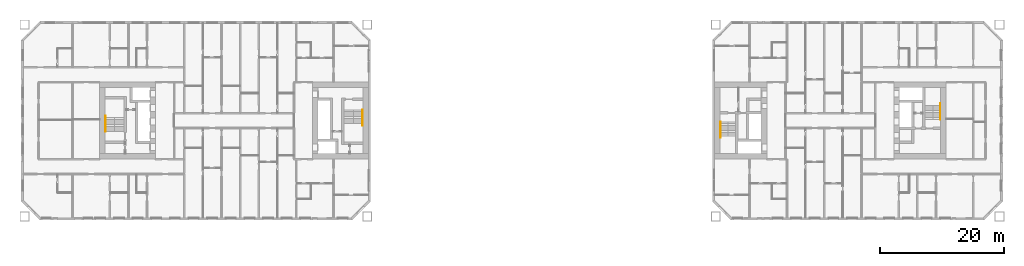
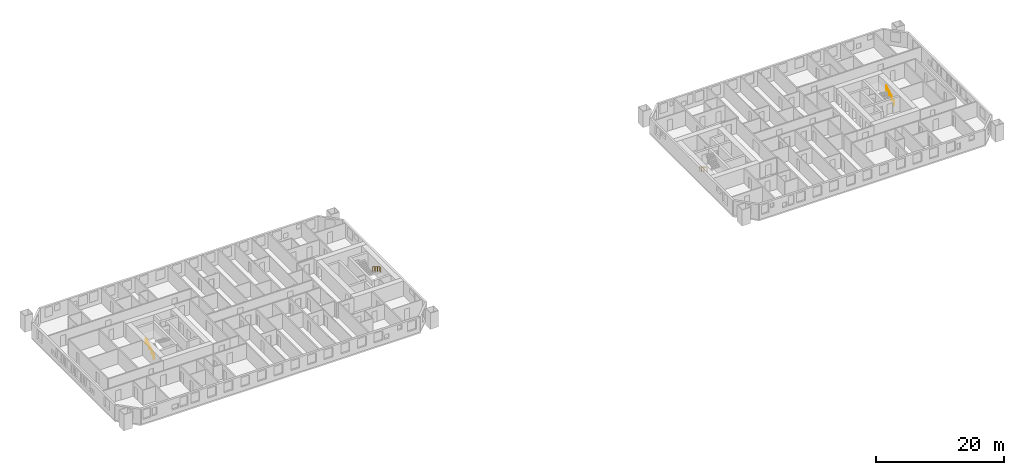
# One storey, part 17 of 17: 4 railings.
"""IFC4 building model written with IfcOpenShell, lengths in metres."""

import ifcopenshell
import ifcopenshell.guid

model = None  # the IFC model being written
_history = None  # IfcOwnerHistory: only IFC2X3 demands one
_inside = {}  # id of a spatial element -> (the spatial element, [elements in it])
_under = {}  # id of a project, library or spatial element -> (it, [spatial elements below it])
_declared = {}  # id of a project -> (the project, [libraries it declares])
_typed = {}  # id of a type object -> (the type object, [elements of that type])
_made_of = {}  # id of a material, layer set ... -> (it, [elements and type objects made of it])


def new_model(schema):
    """Start an empty IFC model of exactly this schema.

    Asked for "IFC4X3", IfcOpenShell would pick the latest addendum, in which some entities
    have other attributes; the version numbers below select the first issue.
    IFC2X3 requires an IfcOwnerHistory on every rooted entity: one is made here for all.
    """
    global model, _history
    if schema == "IFC4X3":
        model = ifcopenshell.file(schema_version=(4, 3, 0, 0))
    else:
        model = ifcopenshell.file(schema=schema)
    _inside.clear()
    _under.clear()
    _declared.clear()
    _typed.clear()
    _made_of.clear()
    _history = None
    if model.schema == "IFC2X3":
        org = make("IfcOrganization", Name="unknown")
        user = make(
            "IfcPersonAndOrganization",
            ThePerson=make("IfcPerson", FamilyName="unknown"),
            TheOrganization=org,
        )
        app = make(
            "IfcApplication",
            ApplicationDeveloper=org,
            Version="unknown",
            ApplicationFullName="unknown",
            ApplicationIdentifier="unknown",
        )
        _history = make(
            "IfcOwnerHistory",
            OwningUser=user,
            OwningApplication=app,
            ChangeAction="ADDED",
            CreationDate=0,
        )
    return model


def make(cls, **values):
    """One entity of the class cls with the attributes given. An attribute that is None is left unset."""
    return model.create_entity(
        cls, **{name: value for name, value in values.items() if value is not None}
    )


def rooted(cls, **values):
    """An entity with a GlobalId (a new one), such as an element, a storey or a relation."""
    return make(cls, GlobalId=ifcopenshell.guid.new(), OwnerHistory=_history, **values)


def si_unit(unit_type, name, prefix=None):
    """IfcSIUnit, for example si_unit("LENGTHUNIT", "METRE", prefix="MILLI")."""
    return make("IfcSIUnit", UnitType=unit_type, Prefix=prefix, Name=name)


def assignment(units):
    """IfcUnitAssignment: the units of a project."""
    return None if units is None else make("IfcUnitAssignment", Units=units)


def point(xyz):
    """IfcCartesianPoint."""
    return None if xyz is None else make("IfcCartesianPoint", Coordinates=xyz)


def direction(xyz):
    """IfcDirection."""
    return None if xyz is None else make("IfcDirection", DirectionRatios=xyz)


def frame(location, z_axis=None, x_axis=None):
    """IfcAxis2Placement3D, a coordinate frame: its origin and axes. An axis left out is left unset."""
    return make(
        "IfcAxis2Placement3D",
        Location=point(location),
        Axis=direction(z_axis),
        RefDirection=direction(x_axis),
    )


def frame_2d(location, x_axis=None):
    """IfcAxis2Placement2D, a coordinate frame in the plane: its origin and x axis."""
    return make(
        "IfcAxis2Placement2D", Location=point(location), RefDirection=direction(x_axis)
    )


def origin():
    """The frame at (0, 0, 0) with its axes left unset."""
    return frame((0.0, 0.0, 0.0))


def origin_2d():
    """The frame at (0, 0) in the plane with its x axis left unset."""
    return frame_2d((0.0, 0.0))


def place(relative_to, where):
    """IfcLocalPlacement: puts the frame where relative to a parent placement (None: the world)."""
    return make(
        "IfcLocalPlacement", PlacementRelTo=relative_to, RelativePlacement=where
    )


def context(
    kind, dimensions, precision=None, world=None, true_north=None, identifier=None
):
    """IfcGeometricRepresentationContext, for example the 3D "Model" context."""
    return make(
        "IfcGeometricRepresentationContext",
        ContextIdentifier=identifier,
        ContextType=kind,
        CoordinateSpaceDimension=dimensions,
        Precision=precision,
        WorldCoordinateSystem=world,
        TrueNorth=true_north,
    )


def subcontext(parent, identifier, kind, view, scale=None):
    """IfcGeometricRepresentationSubContext, for example "Body" below "Model"."""
    return make(
        "IfcGeometricRepresentationSubContext",
        ContextIdentifier=identifier,
        ContextType=kind,
        ParentContext=parent,
        TargetScale=scale,
        TargetView=view,
    )


def project(units=None, contexts=None):
    """IfcProject with its units and contexts."""
    return rooted(
        "IfcProject",
        Name="project",
        RepresentationContexts=contexts,
        UnitsInContext=assignment(units),
    )


def spatial(cls, under=None, at=None, **own):
    """A site, building, storey or space (cls), placed at a placement, below another one or the project."""
    s = rooted(cls, ObjectPlacement=at, **own)
    if under is not None:
        _under.setdefault(under.id(), (under, []))[1].append(s)
    return s


def profile(cls, at=None, kind="AREA", **sizes):
    """A parametric profile (cls). Its sizes go by their IFC names, for example OverallWidth=200.0."""
    return make(cls, ProfileType=kind, Position=at, **sizes)


def circle(**sizes):
    """IfcCircleProfileDef."""
    return profile("IfcCircleProfileDef", **sizes)


def extrude(swept, where, along, depth):
    """IfcExtrudedAreaSolid: the profile swept, set in the frame where, extruded along a direction by depth."""
    return make(
        "IfcExtrudedAreaSolid",
        SweptArea=swept,
        Position=where,
        ExtrudedDirection=direction(along),
        Depth=depth,
    )


def shape(context_of_items, identifier, shape_type, items):
    """IfcShapeRepresentation: the items that make up one representation, for example the "Body"."""
    return make(
        "IfcShapeRepresentation",
        ContextOfItems=context_of_items,
        RepresentationIdentifier=identifier,
        RepresentationType=shape_type,
        Items=items,
    )


def material(Name=None, Category=None):
    """IfcMaterial."""
    return make("IfcMaterial", Name=Name, Category=Category)


def made_of(thing, what):
    """Note that an element or type object is made of a material, layer set ...; save() writes the relation."""
    if what is not None:
        _made_of.setdefault(what.id(), (what, []))[1].append(thing)
    return thing


def type_object(cls, material=None, **own):
    """A type object (cls), such as IfcWallType, which elements share."""
    return made_of(rooted(cls, **own), material)


def element(
    cls,
    number,
    at=None,
    inside=None,
    cuts=None,
    type_object=None,
    material=None,
    context=None,
    identifier="Body",
    shape_type=None,
    held_by="IfcProductDefinitionShape",
    body=None,
    shapes=None,
    **own,
):
    """One element of the class cls, such as IfcWall. Its Tag is "e" and its number.

    at: its placement. inside: the storey or other place that contains it. cuts: it is an
    opening in that element (IfcRelVoidsElement). A single representation is given by context,
    identifier, shape_type and body (its items); several are given by shapes. held_by: the class
    of the entity that holds the representations. save() writes the other relations.
    """
    e = rooted(cls, Tag="e%d" % number, ObjectPlacement=at, **own)
    if body is not None:
        shapes = [shape(context, identifier, shape_type, body)]
    if shapes is not None:
        e.Representation = make(held_by, Representations=shapes)
    if inside is not None:
        _inside.setdefault(inside.id(), (inside, []))[1].append(e)
    if cuts is not None:
        rooted(
            "IfcRelVoidsElement", RelatingBuildingElement=cuts, RelatedOpeningElement=e
        )
    if type_object is not None:
        _typed.setdefault(type_object.id(), (type_object, []))[1].append(e)
    return made_of(e, material)


def aggregate(whole, parts):
    """IfcRelAggregates: a whole, such as a stair, and the parts it consists of."""
    return rooted("IfcRelAggregates", RelatingObject=whole, RelatedObjects=parts)


def save(model, path):
    """Write the relations noted so far, then the file.

    IfcRelAggregates (storeys below a building ...), IfcRelContainedInSpatialStructure (elements
    in a storey), IfcRelDefinesByType, IfcRelAssociatesMaterial and IfcRelDeclares: one each for
    every whole, place, type object, material and project.
    """
    for whole, parts in _under.values():
        aggregate(whole, parts)
    for where, things in _inside.values():
        rooted(
            "IfcRelContainedInSpatialStructure",
            RelatedElements=things,
            RelatingStructure=where,
        )
    for kind, things in _typed.values():
        rooted("IfcRelDefinesByType", RelatedObjects=things, RelatingType=kind)
    for what, things in _made_of.values():
        rooted("IfcRelAssociatesMaterial", RelatedObjects=things, RelatingMaterial=what)
    for by, libraries in _declared.values():
        rooted("IfcRelDeclares", RelatingContext=by, RelatedDefinitions=libraries)
    model.write(path)


model = new_model("IFC4")

# Units and contexts
model_context = context("Model", 3, precision=1e-05, world=origin(), true_north=direction((0.0, 1.0)))
body_context = subcontext(model_context, "Body", "Model", "MODEL_VIEW")
ifc_project = project(units=[si_unit("LENGTHUNIT", "METRE"), si_unit("AREAUNIT", "SQUARE_METRE"), si_unit("VOLUMEUNIT", "CUBIC_METRE"), si_unit("PLANEANGLEUNIT", "RADIAN"), si_unit("MASSUNIT", "GRAM", prefix="KILO")], contexts=[model_context])

# Site, building, storey
site_placement = place(None, origin())
site = spatial("IfcSite", under=ifc_project, at=site_placement, CompositionType="ELEMENT")
building_placement = place(site_placement, origin())
building = spatial("IfcBuilding", under=site, at=building_placement, Name="Tuart Gate Housing", CompositionType="ELEMENT")
storey_placement = place(building_placement, frame((0.0, 0.0, 22.60009765625)))
storey = spatial("IfcBuildingStorey", under=building, at=storey_placement, Name="L05", CompositionType="ELEMENT", Elevation=22.60009765625)

# Railings
ifc_material = material(Name="Stainless steel", Category="steel")
railing_type = type_object("IfcRailingType", Name="Stair handrail 900", PredefinedType="HANDRAIL", material=ifc_material)
railing_1_placement = place(storey_placement, frame((74.679931640625, 71.75, 0.172119140625)))
element("IfcRailing", 1, at=railing_1_placement, inside=storey, type_object=railing_type, Name="Stair handrail SA1.1", PredefinedType="HANDRAIL", context=body_context, shape_type="SweptSolid", body=[
    extrude(circle(Radius=0.02392578125, at=origin_2d()), frame((0.0, 0.0, 0.8759765625), z_axis=(0.0, -0.85178898068, 0.523885037382), x_axis=(1.0, 0.0, 0.0)), (0.0, 0.0, 1.0), 2.629638671875),
    extrude(circle(Radius=0.02392578125, at=origin_2d()), frame((0.0, -2.239990234375, 2.25341796875), z_axis=(0.0, -1.0, 0.0), x_axis=(1.0, 0.0, 0.0)), (0.0, 0.0, 1.0), 0.300048828125),
    extrude(circle(Radius=0.02099609375, at=origin_2d()), origin(), (0.0, 0.0, 1.0), 0.851806640625),
    extrude(circle(Radius=0.02099609375, at=origin_2d()), frame((0.0, -0.74658203125, 0.459228515625)), (0.0, 0.0, 1.0), 0.851806640625),
    extrude(circle(Radius=0.02099609375, at=origin_2d()), frame((0.0, -1.493408203125, 0.91845703125)), (0.0, 0.0, 1.0), 0.851806640625),
    extrude(circle(Radius=0.02099609375, at=origin_2d()), frame((0.0, -2.239990234375, 1.377685546875)), (0.0, 0.0, 1.0), 0.851806640625),
    extrude(circle(Radius=0.02099609375, at=origin_2d()), frame((0.0, -2.5400390625, 1.377685546875)), (0.0, 0.0, 1.0), 0.851806640625),
])
railing_2_placement = place(storey_placement, frame((33.320068359375, 68.25, 0.172119140625)))
element("IfcRailing", 2, at=railing_2_placement, inside=storey, type_object=railing_type, Name="Stair handrail SA2.1", PredefinedType="HANDRAIL", context=body_context, shape_type="SweptSolid", body=[
    extrude(circle(Radius=0.02392578125, at=origin_2d()), frame((0.0, 0.0, 0.8759765625), z_axis=(0.0, 0.85178898068, 0.523885037382), x_axis=(-1.0, 0.0, 0.0)), (0.0, 0.0, 1.0), 2.629638671875),
    extrude(circle(Radius=0.02392578125, at=origin_2d()), frame((0.0, 2.239990234375, 2.25341796875), z_axis=(0.0, 1.0, 0.0), x_axis=(-1.0, 0.0, 0.0)), (0.0, 0.0, 1.0), 0.300048828125),
    extrude(circle(Radius=0.02099609375, at=origin_2d()), origin(), (0.0, 0.0, 1.0), 0.851806640625),
    extrude(circle(Radius=0.02099609375, at=origin_2d()), frame((0.0, 0.74658203125, 0.459228515625)), (0.0, 0.0, 1.0), 0.851806640625),
    extrude(circle(Radius=0.02099609375, at=origin_2d()), frame((0.0, 1.493408203125, 0.91845703125)), (0.0, 0.0, 1.0), 0.851806640625),
    extrude(circle(Radius=0.02099609375, at=origin_2d()), frame((0.0, 2.239990234375, 1.377685546875)), (0.0, 0.0, 1.0), 0.851806640625),
    extrude(circle(Radius=0.02099609375, at=origin_2d()), frame((0.0, 2.5400390625, 1.377685546875)), (0.0, 0.0, 1.0), 0.851806640625),
])
railing_3_placement = place(storey_placement, frame((132.320068359375, 69.800048828125, 0.172119140625)))
element("IfcRailing", 3, at=railing_3_placement, inside=storey, type_object=railing_type, Name="Stair handrail SB1.1", PredefinedType="HANDRAIL", context=body_context, shape_type="SweptSolid", body=[
    extrude(circle(Radius=0.02392578125, at=origin_2d()), frame((0.0, 0.0, 0.8759765625), z_axis=(0.0, -0.85178898068, 0.523885037382), x_axis=(1.0, 0.0, 0.0)), (0.0, 0.0, 1.0), 2.629638671875),
    extrude(circle(Radius=0.02392578125, at=origin_2d()), frame((0.0, -2.239990234375, 2.25341796875), z_axis=(0.0, -1.0, 0.0), x_axis=(1.0, 0.0, 0.0)), (0.0, 0.0, 1.0), 0.300048828125),
    extrude(circle(Radius=0.02099609375, at=origin_2d()), origin(), (0.0, 0.0, 1.0), 0.851806640625),
    extrude(circle(Radius=0.02099609375, at=origin_2d()), frame((0.0, -0.74658203125, 0.459228515625)), (0.0, 0.0, 1.0), 0.851806640625),
    extrude(circle(Radius=0.02099609375, at=origin_2d()), frame((0.0, -1.493408203125, 0.91845703125)), (0.0, 0.0, 1.0), 0.851806640625),
    extrude(circle(Radius=0.02099609375, at=origin_2d()), frame((0.0, -2.239990234375, 1.377685546875)), (0.0, 0.0, 1.0), 0.851806640625),
    extrude(circle(Radius=0.02099609375, at=origin_2d()), frame((0.0, -2.5400390625, 1.377685546875)), (0.0, 0.0, 1.0), 0.851806640625),
])
railing_4_placement = place(storey_placement, frame((167.679931640625, 70.199951171875, 0.172119140625)))
element("IfcRailing", 4, at=railing_4_placement, inside=storey, type_object=railing_type, Name="Stair handrail SB2.1", PredefinedType="HANDRAIL", context=body_context, shape_type="SweptSolid", body=[
    extrude(circle(Radius=0.02392578125, at=origin_2d()), frame((0.0, 0.0, 0.8759765625), z_axis=(0.0, 0.85178898068, 0.523885037382), x_axis=(-1.0, 0.0, 0.0)), (0.0, 0.0, 1.0), 2.629638671875),
    extrude(circle(Radius=0.02392578125, at=origin_2d()), frame((0.0, 2.239990234375, 2.25341796875), z_axis=(0.0, 1.0, 0.0), x_axis=(-1.0, 0.0, 0.0)), (0.0, 0.0, 1.0), 0.300048828125),
    extrude(circle(Radius=0.02099609375, at=origin_2d()), origin(), (0.0, 0.0, 1.0), 0.851806640625),
    extrude(circle(Radius=0.02099609375, at=origin_2d()), frame((0.0, 0.74658203125, 0.459228515625)), (0.0, 0.0, 1.0), 0.851806640625),
    extrude(circle(Radius=0.02099609375, at=origin_2d()), frame((0.0, 1.493408203125, 0.91845703125)), (0.0, 0.0, 1.0), 0.851806640625),
    extrude(circle(Radius=0.02099609375, at=origin_2d()), frame((0.0, 2.239990234375, 1.377685546875)), (0.0, 0.0, 1.0), 0.851806640625),
    extrude(circle(Radius=0.02099609375, at=origin_2d()), frame((0.0, 2.5400390625, 1.377685546875)), (0.0, 0.0, 1.0), 0.851806640625),
])

save(model, "model.ifc")
